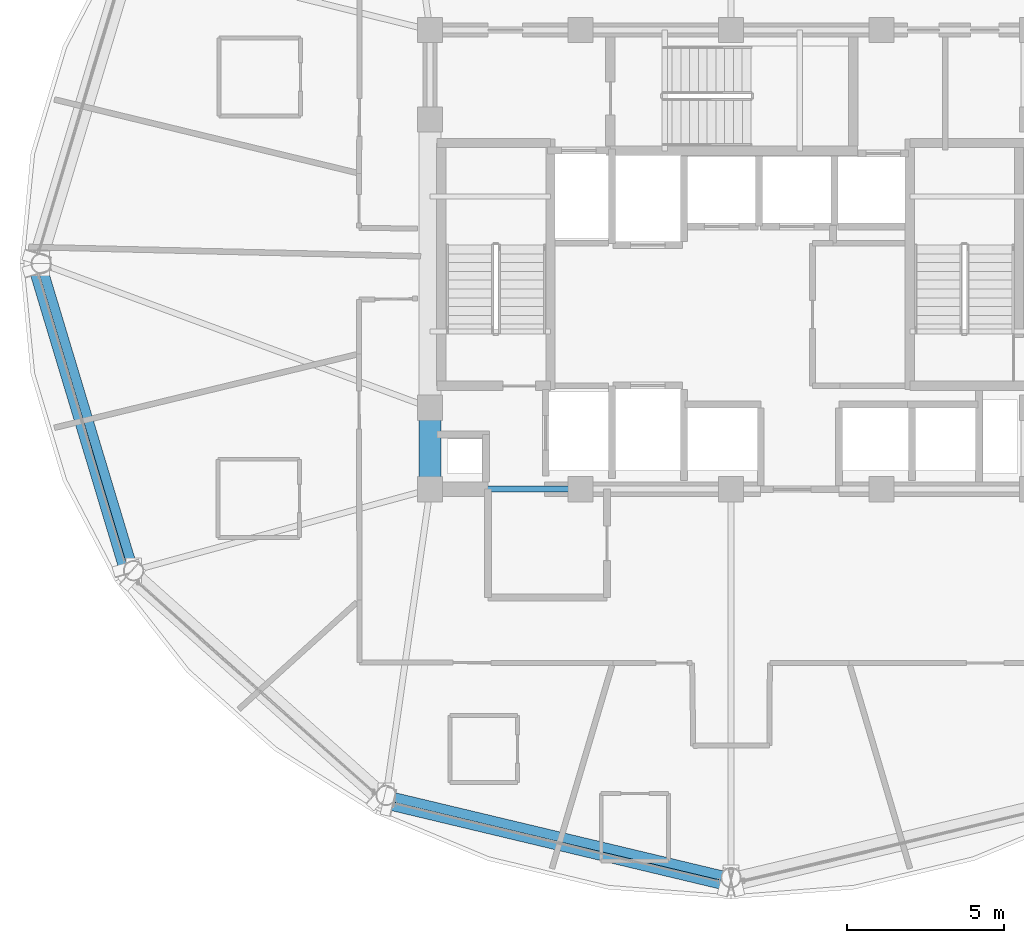
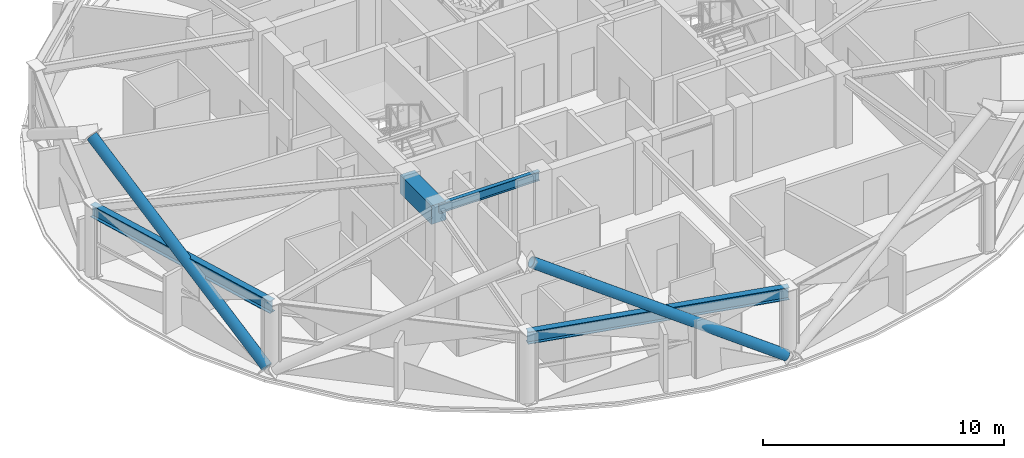
# One storey, part 4 of 29: 4 beams, 2 members.
"""IFC4 building model written with IfcOpenShell, lengths in metres."""

from ifc_helpers import new_model, si_unit, direction, frame, origin, origin_2d, place, context, subcontext, project, spatial, rectangle, hollow_circle, i_section, extrude, material, material_profile, profile_set, type_object, element, save


model = new_model("IFC4")

# Units and contexts
model_context = context("Model", 3, precision=1e-05, world=origin(), true_north=direction((0.0, 1.0)))
body_context = subcontext(model_context, "Body", "Model", "MODEL_VIEW")
ifc_project = project(units=[si_unit("LENGTHUNIT", "METRE"), si_unit("AREAUNIT", "SQUARE_METRE"), si_unit("VOLUMEUNIT", "CUBIC_METRE"), si_unit("PLANEANGLEUNIT", "RADIAN"), si_unit("MASSUNIT", "GRAM", prefix="KILO")], contexts=[model_context])

# Site, building, storey
site_placement = place(None, origin())
site = spatial("IfcSite", under=ifc_project, at=site_placement, CompositionType="ELEMENT")
building_placement = place(site_placement, origin())
building = spatial("IfcBuilding", under=site, at=building_placement, Name="Vantalir Tower", CompositionType="ELEMENT")
storey_placement = place(building_placement, frame((0.0, 0.0, 219.89990234375)))
storey = spatial("IfcBuildingStorey", under=building, at=storey_placement, Name="L55", CompositionType="ELEMENT", Elevation=219.89990234375)

# Beams
ifc_material_1 = material(Name="Concrete C60/75", Category="concrete")
ifc_material_profile_1 = material_profile(ifc_material_1, rectangle(XDim=0.699951171875, YDim=0.949951171875, at=origin_2d()), Name="Concrete C60/75")
ifc_profile_set_1 = profile_set([ifc_material_profile_1], Name="Concrete C60/75")
beam_type_1 = type_object("IfcBeamType", Name="BM-CB-700x950", PredefinedType="USERDEFINED", material=ifc_profile_set_1)
beam_1_placement = place(storey_placement, frame((21.89990234375, 20.39990234375, 3.09521484375), z_axis=(0.0, -1.0, 0.0), x_axis=(1.0, 0.0, 0.0)))
element("IfcBeam", 1, at=beam_1_placement, inside=storey, type_object=beam_type_1, Name="L55 Core Coupling Girder 14", ObjectType="GIRDER", PredefinedType="USERDEFINED", context=body_context, shape_type="SweptSolid", body=[
    extrude(rectangle(XDim=0.699951171875, YDim=0.949951171875, at=origin_2d()), origin(), (0.0, 0.0, 1.0), 2.599853515625),
])
ifc_material_2 = material(Name="Steel S355", Category="steel")
ifc_material_profile_2 = material_profile(ifc_material_2, i_section(OverallWidth=0.19189453125, OverallDepth=0.462890625, WebThickness=0.010498046875, FlangeThickness=0.017578125, at=origin_2d()), Name="Steel S355")
ifc_profile_set_2 = profile_set([ifc_material_profile_2], Name="Steel S355")
beam_type_2 = type_object("IfcBeamType", Name="BM-RB-457x191", PredefinedType="BEAM", material=ifc_profile_set_2)
beam_2_placement = place(storey_placement, frame((21.89990234375, 17.800048828125, 3.338134765625), z_axis=(1.0, 0.0, 0.0), x_axis=(0.0, 1.0, 0.0)))
element("IfcBeam", 2, at=beam_2_placement, inside=storey, type_object=beam_type_2, Name="L55 Core Coupling Girder 01", PredefinedType="BEAM", context=body_context, shape_type="SweptSolid", body=[
    extrude(i_section(OverallWidth=0.19189453125, OverallDepth=0.462890625, WebThickness=0.010498046875, FlangeThickness=0.017578125, at=origin_2d()), origin(), (0.0, 0.0, 1.0), 4.800048828125),
])
ifc_material_3 = material(Name="Steel S460", Category="steel")
ifc_material_profile_3 = material_profile(ifc_material_3, i_section(OverallWidth=0.306884765625, OverallDepth=0.6201171875, WebThickness=0.01416015625, FlangeThickness=0.023681640625, at=origin_2d()), Name="Steel S460")
ifc_profile_set_3 = profile_set([ifc_material_profile_3], Name="Steel S460")
beam_type_3 = type_object("IfcBeamType", Name="BM-RG-610x305", PredefinedType="USERDEFINED", material=ifc_profile_set_3)
beam_3_placement = place(storey_placement, frame((9.487060546875, 25.0, 3.260009765625), z_axis=(0.288203662464, -0.957569135333, 0.0), x_axis=(0.957569135333, 0.288203662464, 0.0)))
element("IfcBeam", 3, at=beam_3_placement, inside=storey, type_object=beam_type_3, Name="L55 Circumferential Ring Girder 07", ObjectType="GIRDER", PredefinedType="USERDEFINED", context=body_context, shape_type="SweptSolid", body=[
    extrude(i_section(OverallWidth=0.306884765625, OverallDepth=0.6201171875, WebThickness=0.01416015625, FlangeThickness=0.023681640625, at=origin_2d()), origin(), (0.0, 0.0, 1.0), 10.232177734375),
])
beam_4_placement = place(storey_placement, frame((20.492919921875, 8.029052734375, 3.260009765625), z_axis=(0.972721190818, -0.231977337112, 0.0), x_axis=(0.231977337112, 0.972721190818, 0.0)))
element("IfcBeam", 4, at=beam_4_placement, inside=storey, type_object=beam_type_3, Name="L55 Circumferential Ring Girder 09", ObjectType="GIRDER", PredefinedType="USERDEFINED", context=body_context, shape_type="SweptSolid", body=[
    extrude(i_section(OverallWidth=0.306884765625, OverallDepth=0.6201171875, WebThickness=0.01416015625, FlangeThickness=0.023681640625, at=origin_2d()), origin(), (0.0, 0.0, 1.0), 11.315673828125),
])

# Members
ifc_material_profile_4 = material_profile(ifc_material_3, hollow_circle(Radius=0.25, WallThickness=0.031982421875, at=origin_2d()), Name="Steel S460")
ifc_profile_set_4 = profile_set([ifc_material_profile_4], Name="Steel S460")
member_type = type_object("IfcMemberType", Name="MEM-DB-500x32", PredefinedType="BRACE", material=ifc_profile_set_4)
member_1_placement = place(storey_placement, frame((12.219970703125, 15.280029296875, 0.205078125), z_axis=(-0.236677859602, 0.787061061476, 0.569665231765), x_axis=(-0.957638702943, -0.287972419904, 0.0)))
element("IfcMember", 5, at=member_1_placement, inside=storey, type_object=member_type, Name="L55 Perimeter S460 Diagrid Brace R22R", PredefinedType="BRACE", context=body_context, shape_type="SweptSolid", body=[
    extrude(hollow_circle(Radius=0.25, WallThickness=0.031982421875, at=origin_2d()), origin(), (0.0, 0.0, 1.0), 12.1298828125),
])
member_2_placement = place(storey_placement, frame((31.319091796875, 5.257080078125, 0.197021484375), z_axis=(-0.823971380781, 0.196782144677, 0.531364235897), x_axis=(-0.232289043132, -0.972646801486, 0.0)))
element("IfcMember", 6, at=member_2_placement, inside=storey, type_object=member_type, Name="L55 Perimeter S460 Diagrid Brace R28R", PredefinedType="BRACE", context=body_context, shape_type="SweptSolid", body=[
    extrude(hollow_circle(Radius=0.25, WallThickness=0.031982421875, at=origin_2d()), origin(), (0.0, 0.0, 1.0), 13.034423828125),
])

save(model, "model.ifc")
